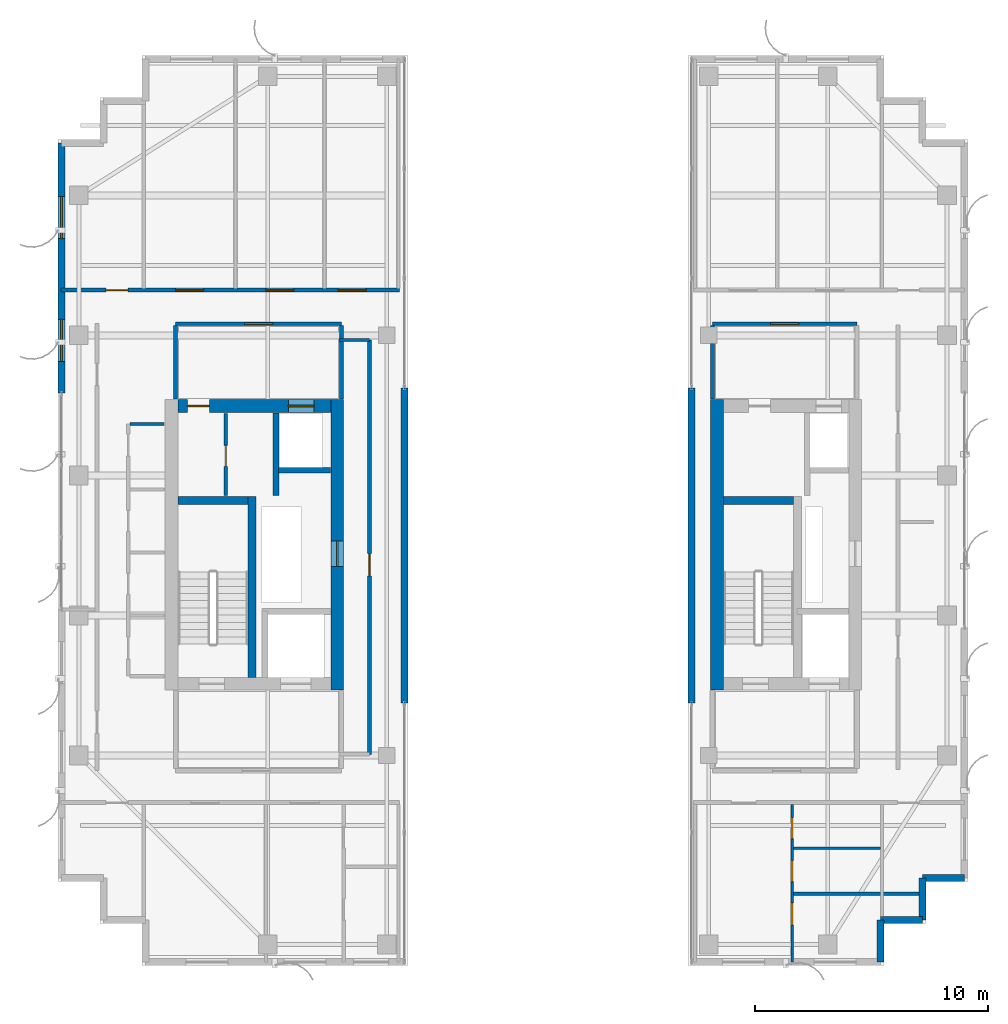
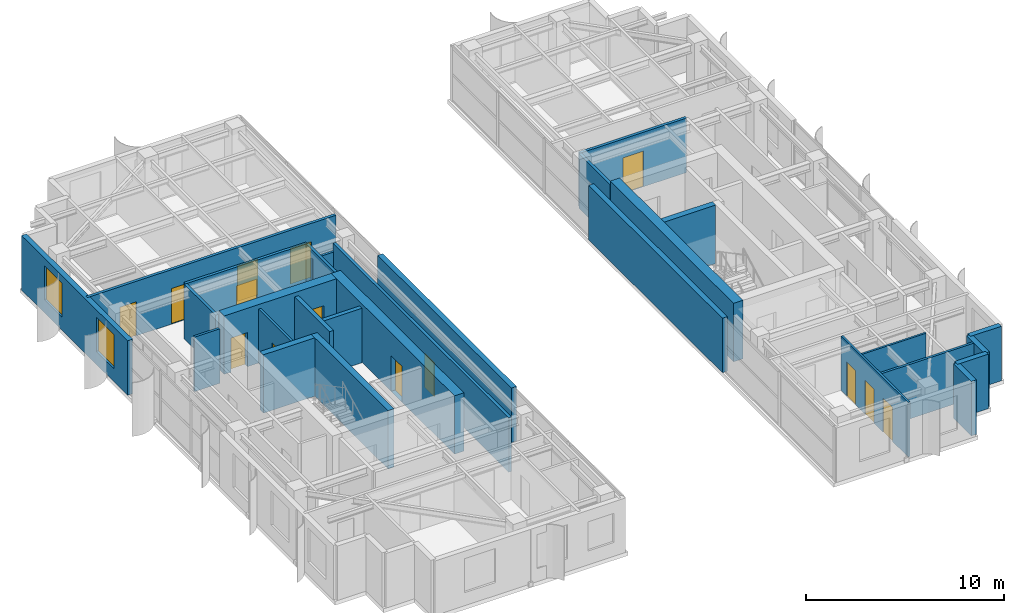
# One storey, part 19 of 24: 28 walls, 14 doors, 2 windows, 16 openings.
"""IFC4 building model written with IfcOpenShell, lengths in metres."""

from ifc_helpers import new_model, si_unit, direction, frame, frame_2d, origin, place, context, subcontext, project, spatial, rectangle, extrude, source, transform, mapped, material, layer, layer_set, type_object, element, fill, save


model = new_model("IFC4")

# Units and contexts
model_context = context("Model", 3, precision=1e-05, world=origin(), true_north=direction((0.0, 1.0)))
body_context = subcontext(model_context, "Body", "Model", "MODEL_VIEW")
ifc_project = project(units=[si_unit("LENGTHUNIT", "METRE"), si_unit("AREAUNIT", "SQUARE_METRE"), si_unit("VOLUMEUNIT", "CUBIC_METRE"), si_unit("PLANEANGLEUNIT", "RADIAN"), si_unit("MASSUNIT", "GRAM", prefix="KILO")], contexts=[model_context])

# Site, building, storey
site_placement = place(None, origin())
site = spatial("IfcSite", under=ifc_project, at=site_placement, CompositionType="ELEMENT")
building_placement = place(site_placement, origin())
building = spatial("IfcBuilding", under=site, at=building_placement, Name="Khoralis Quay Care Tower", CompositionType="ELEMENT")
storey_placement = place(building_placement, frame((0.0, 0.0, 238.5)))
storey = spatial("IfcBuildingStorey", under=building, at=storey_placement, Name="L62", CompositionType="ELEMENT", Elevation=238.5)

# Wall, opening, door
ifc_material_1 = material(Name="Concrete C65/80", Category="concrete")
ifc_layer_1 = layer(ifc_material_1, 0.550048828125)
ifc_layer_set_1 = layer_set([ifc_layer_1], Name="Concrete C65/80")
wall_type_1 = type_object("IfcWallType", Name="WL-CORE-550", PredefinedType="SHEAR", material=ifc_layer_set_1)
wall_1_placement = place(storey_placement, frame((14.97509765625, 14.800048828125, 0.0), z_axis=(0.0, 0.0, 1.0), x_axis=(0.0, 1.0, 0.0)))
wall_1 = element("IfcWall", 1, at=wall_1_placement, inside=storey, type_object=wall_type_1, Name="L62 WCORE East Shear Wall", PredefinedType="SHEAR", context=body_context, shape_type="SweptSolid", body=[
    extrude(rectangle(XDim=12.449951171875, YDim=0.550048828125, at=frame_2d((6.22509765625, 0.0))), origin(), (0.0, 0.0, 1.0), 3.60009765625),
])
opening_1_placement = place(wall_1_placement, frame((5.300048828125, 0.0, 0.0)))
opening_1 = element("IfcOpeningElement", 2, at=opening_1_placement, cuts=wall_1, Name="Opening SD1", PredefinedType="OPENING", context=body_context, shape_type="SweptSolid", body=[
    extrude(rectangle(XDim=1.10009765625, YDim=2.199951171875, at=frame_2d((0.550048828125, 1.10009765625))), frame((0.0, 0.28515625, 0.0), z_axis=(0.0, -1.0, 0.0), x_axis=(1.0, 0.0, 0.0)), (0.0, 0.0, 1.0), 0.570068359375),
])
ifc_material_2 = material(Name="Fire-rated painted steel", Category="steel")
door_type_1 = type_object("IfcDoorType", Name="DR-STAIR-1100X2200", OperationType="NOTDEFINED", PredefinedType="DOOR", material=ifc_material_2)
shared_shape_1 = source(origin(), body_context, "Body", "SweptSolid", [
    extrude(rectangle(XDim=1.10009765625, YDim=2.199951171875, at=frame_2d((0.550048828125, 1.10009765625))), frame((0.0, 0.02490234375, 0.0), z_axis=(0.0, -1.0, 0.0), x_axis=(1.0, 0.0, 0.0)), (0.0, 0.0, 1.0), 0.050048828125),
])
door_1_placement = place(opening_1_placement, origin())
door_1 = element("IfcDoor", 3, at=door_1_placement, inside=storey, type_object=door_type_1, Name="L62 West MEP Riser Door", OperationType="SINGLE_SWING_RIGHT", OverallHeight=2.199951171875, OverallWidth=1.10009765625, PredefinedType="DOOR", context=body_context, shape_type="MappedRepresentation", body=[
    mapped(shared_shape_1, transform((0.0, 0.0, 0.0), scale=1.0)),
])
fill(opening_1, door_1)

# Wall, openings, doors
wall_2_placement = place(storey_placement, frame((8.14990234375, 26.97509765625, 0.0), z_axis=(0.0, 0.0, 1.0), x_axis=(1.0, 0.0, 0.0)))
wall_2 = element("IfcWall", 4, at=wall_2_placement, inside=storey, type_object=wall_type_1, Name="L62 WCORE North Shear Wall", PredefinedType="SHEAR", context=body_context, shape_type="SweptSolid", body=[
    extrude(rectangle(XDim=6.550048828125, YDim=0.550048828125, at=frame_2d((3.27490234375, 0.0))), origin(), (0.0, 0.0, 1.0), 3.60009765625),
])
opening_2_placement = place(wall_2_placement, frame((0.39990234375, 0.0, 0.0)))
opening_2 = element("IfcOpeningElement", 5, at=opening_2_placement, cuts=wall_2, Name="Opening ID1", PredefinedType="OPENING", context=body_context, shape_type="SweptSolid", body=[
    extrude(rectangle(XDim=0.949951171875, YDim=2.10009765625, at=frame_2d((0.47509765625, 1.050048828125))), frame((0.0, 0.28515625, 0.0), z_axis=(0.0, -1.0, 0.0), x_axis=(1.0, 0.0, 0.0)), (0.0, 0.0, 1.0), 0.570068359375),
])
opening_3_placement = place(wall_2_placement, frame((4.72998046875, 0.0, 0.0)))
opening_3 = element("IfcOpeningElement", 6, at=opening_3_placement, cuts=wall_2, Name="Opening LD1", PredefinedType="OPENING", context=body_context, shape_type="SweptSolid", body=[
    extrude(rectangle(XDim=1.10009765625, YDim=2.199951171875, at=frame_2d((0.550048828125, 1.10009765625))), frame((0.0, 0.28515625, 0.0), z_axis=(0.0, -1.0, 0.0), x_axis=(1.0, 0.0, 0.0)), (0.0, 0.0, 1.0), 0.570068359375),
])
ifc_material_3 = material(Name="Brushed stainless steel", Category="steel")
door_type_2 = type_object("IfcDoorType", Name="DR-LIFT-1100X2200", OperationType="SLIDING_TO_LEFT", PredefinedType="DOOR", material=ifc_material_3)
shared_shape_2 = source(origin(), body_context, "Body", "SweptSolid", [
    extrude(rectangle(XDim=1.10009765625, YDim=2.199951171875, at=frame_2d((0.550048828125, 1.10009765625))), frame((0.0, 0.02490234375, 0.0), z_axis=(0.0, -1.0, 0.0), x_axis=(1.0, 0.0, 0.0)), (0.0, 0.0, 1.0), 0.050048828125),
])
door_2_placement = place(opening_3_placement, origin())
door_2 = element("IfcDoor", 7, at=door_2_placement, inside=storey, type_object=door_type_2, Name="L62 Lift PLH1 Landing Door", OperationType="SLIDING_TO_LEFT", OverallHeight=2.199951171875, OverallWidth=1.10009765625, PredefinedType="DOOR", context=body_context, shape_type="MappedRepresentation", body=[
    mapped(shared_shape_2, transform((0.0, 0.0, 0.0), scale=1.0)),
])
fill(opening_3, door_2)
ifc_material_4 = material(Name="Acoustic hardwood timber", Category="wood")
door_type_3 = type_object("IfcDoorType", Name="DR-ROOM-950X2100", OperationType="NOTDEFINED", PredefinedType="DOOR", material=ifc_material_4)
shared_shape_3 = source(origin(), body_context, "Body", "SweptSolid", [
    extrude(rectangle(XDim=0.949951171875, YDim=2.10009765625, at=frame_2d((0.47509765625, 1.050048828125))), frame((0.0, 0.02490234375, 0.0), z_axis=(0.0, -1.0, 0.0), x_axis=(1.0, 0.0, 0.0)), (0.0, 0.0, 1.0), 0.050048828125),
])
door_3_placement = place(opening_2_placement, frame((0.949951171875, 0.0, 0.0), z_axis=(0.0, 0.0, 1.0), x_axis=(-1.0, 0.0, 0.0)))
door_3 = element("IfcDoor", 8, at=door_3_placement, inside=storey, type_object=door_type_3, Name="L62 Telemetry Study Door", OperationType="SINGLE_SWING_RIGHT", OverallHeight=2.10009765625, OverallWidth=0.949951171875, PredefinedType="DOOR", context=body_context, shape_type="MappedRepresentation", body=[
    mapped(shared_shape_3, transform((0.0, 0.0, 0.0), scale=1.0)),
])
fill(opening_2, door_3)

# Wall
wall_3_placement = place(storey_placement, frame((31.2451171875, 14.800048828125, 0.0), z_axis=(0.0, 0.0, 1.0), x_axis=(0.0, 1.0, 0.0)))
element("IfcWall", 9, at=wall_3_placement, inside=storey, type_object=wall_type_1, Name="L62 ECORE West Shear Wall", PredefinedType="SHEAR", context=body_context, shape_type="SweptSolid", body=[
    extrude(rectangle(XDim=12.449951171875, YDim=0.550048828125, at=frame_2d((6.22509765625, 0.0))), origin(), (0.0, 0.0, 1.0), 3.60009765625),
])

# Wall, opening, door
ifc_material_5 = material(Name="Gypsum plasterboard on acoustic metal stud")
ifc_layer_2 = layer(ifc_material_5, 0.1650390625)
ifc_layer_set_2 = layer_set([ifc_layer_2], Name="Gypsum plasterboard on acoustic metal stud")
wall_type_2 = type_object("IfcWallType", Name="WL-CORR-165", PredefinedType="PARTITIONING", material=ifc_layer_set_2)
wall_4_placement = place(storey_placement, frame((8.050048828125, 30.5, 0.0), z_axis=(0.0, 0.0, 1.0), x_axis=(1.0, 0.0, 0.0)))
wall_4 = element("IfcWall", 10, at=wall_4_placement, inside=storey, type_object=wall_type_2, Name="L62 West Lift Lobby North Wall", PredefinedType="PARTITIONING", context=body_context, shape_type="SweptSolid", body=[
    extrude(rectangle(XDim=7.099853515625, YDim=0.1650390625, at=frame_2d((3.5498046875, 0.0))), origin(), (0.0, 0.0, 1.0), 3.360107421875),
])
opening_4_placement = place(wall_4_placement, frame((2.949951171875, 0.0, 0.0)))
opening_4 = element("IfcOpeningElement", 11, at=opening_4_placement, cuts=wall_4, Name="Opening FD1", PredefinedType="OPENING", context=body_context, shape_type="SweptSolid", body=[
    extrude(rectangle(XDim=1.199951171875, YDim=2.199951171875, at=frame_2d((0.60009765625, 1.10009765625))), frame((0.0, 0.092529296875, 0.0), z_axis=(0.0, -1.0, 0.0), x_axis=(1.0, 0.0, 0.0)), (0.0, 0.0, 1.0), 0.18505859375),
])
door_type_4 = type_object("IfcDoorType", Name="DR-FFL-1200X2200", OperationType="NOTDEFINED", PredefinedType="DOOR", material=ifc_material_2)
shared_shape_4 = source(origin(), body_context, "Body", "SweptSolid", [
    extrude(rectangle(XDim=1.199951171875, YDim=2.199951171875, at=frame_2d((0.60009765625, 1.10009765625))), frame((0.0, 0.02490234375, 0.0), z_axis=(0.0, -1.0, 0.0), x_axis=(1.0, 0.0, 0.0)), (0.0, 0.0, 1.0), 0.050048828125),
])
door_4_placement = place(opening_4_placement, origin())
door_4 = element("IfcDoor", 12, at=door_4_placement, inside=storey, type_object=door_type_4, Name="L62 West Lift Lobby Double Door", OperationType="DOUBLE_DOOR_SINGLE_SWING", OverallHeight=2.199951171875, OverallWidth=1.199951171875, PredefinedType="DOOR", context=body_context, shape_type="MappedRepresentation", body=[
    mapped(shared_shape_4, transform((0.0, 0.0, 0.0), scale=1.0)),
])
fill(opening_4, door_4)

# Walls
for number, where, z_axis, x_axis, name in (
    (13, (8.050048828125, 27.27001953125, 0.0), (0.0, 0.0, 1.0), (0.0, 1.0, 0.0), "L62 West Lift Lobby West Wall"),
    (14, (15.14990234375, 27.27001953125, 0.0), (0.0, 0.0, 1.0), (0.0, 1.0, 0.0), "L62 West Lift Lobby East Wall"),
):
    element("IfcWall", number, at=place(storey_placement, frame(where, z_axis=z_axis, x_axis=x_axis)), inside=storey, type_object=wall_type_2, Name=name, PredefinedType="PARTITIONING", context=body_context, shape_type="SweptSolid", body=[
        extrude(rectangle(XDim=3.152587890625, YDim=0.1650390625, at=frame_2d((1.576171875, 0.0))), origin(), (0.0, 0.0, 1.0), 3.360107421875),
    ])

# Wall, opening, door
wall_5_placement = place(storey_placement, frame((31.050048828125, 30.5, 0.0), z_axis=(0.0, 0.0, 1.0), x_axis=(1.0, 0.0, 0.0)))
wall_5 = element("IfcWall", 15, at=wall_5_placement, inside=storey, type_object=wall_type_2, Name="L62 East Lift Lobby North Wall", PredefinedType="PARTITIONING", context=body_context, shape_type="SweptSolid", body=[
    extrude(rectangle(XDim=6.199951171875, YDim=0.1650390625, at=frame_2d((3.10009765625, 0.0))), origin(), (0.0, 0.0, 1.0), 3.360107421875),
])
opening_5_placement = place(wall_5_placement, frame((2.5, 0.0, 0.0)))
opening_5 = element("IfcOpeningElement", 16, at=opening_5_placement, cuts=wall_5, Name="Opening FD1", PredefinedType="OPENING", context=body_context, shape_type="SweptSolid", body=[
    extrude(rectangle(XDim=1.199951171875, YDim=2.199951171875, at=frame_2d((0.60009765625, 1.10009765625))), frame((0.0, 0.092529296875, 0.0), z_axis=(0.0, -1.0, 0.0), x_axis=(1.0, 0.0, 0.0)), (0.0, 0.0, 1.0), 0.18505859375),
])
door_5_placement = place(opening_5_placement, origin())
door_5 = element("IfcDoor", 17, at=door_5_placement, inside=storey, type_object=door_type_4, Name="L62 East Lift Lobby Double Door", OperationType="DOUBLE_DOOR_SINGLE_SWING", OverallHeight=2.199951171875, OverallWidth=1.199951171875, PredefinedType="DOOR", context=body_context, shape_type="MappedRepresentation", body=[
    mapped(shared_shape_4, transform((0.0, 0.0, 0.0), scale=1.0)),
])
fill(opening_5, door_5)

# Wall
wall_6_placement = place(storey_placement, frame((31.050048828125, 27.27001953125, 0.0), z_axis=(0.0, 0.0, 1.0), x_axis=(0.0, 1.0, 0.0)))
element("IfcWall", 18, at=wall_6_placement, inside=storey, type_object=wall_type_2, Name="L62 East Lift Lobby West Wall", PredefinedType="PARTITIONING", context=body_context, shape_type="SweptSolid", body=[
    extrude(rectangle(XDim=3.152587890625, YDim=0.1650390625, at=frame_2d((1.576171875, 0.0))), origin(), (0.0, 0.0, 1.0), 3.360107421875),
])

# Wall, openings, doors
wall_7_placement = place(storey_placement, frame((3.14501953125, 31.93994140625, 0.0), z_axis=(0.0, 0.0, 1.0), x_axis=(1.0, 0.0, 0.0)))
wall_7 = element("IfcWall", 19, at=wall_7_placement, inside=storey, type_object=wall_type_2, Name="L62 West Wing North Corridor Wall", PredefinedType="PARTITIONING", context=body_context, shape_type="SweptSolid", body=[
    extrude(rectangle(XDim=14.5048828125, YDim=0.1650390625, at=frame_2d((7.25244140625, 0.0))), origin(), (0.0, 0.0, 1.0), 3.360107421875),
])
opening_6_placement = place(wall_7_placement, frame((4.89990234375, 0.0, 0.0)))
opening_6 = element("IfcOpeningElement", 20, at=opening_6_placement, cuts=wall_7, Name="Opening FD1", PredefinedType="OPENING", context=body_context, shape_type="SweptSolid", body=[
    extrude(rectangle(XDim=1.199951171875, YDim=2.199951171875, at=frame_2d((0.60009765625, 1.10009765625))), frame((0.0, 0.092529296875, 0.0), z_axis=(0.0, -1.0, 0.0), x_axis=(1.0, 0.0, 0.0)), (0.0, 0.0, 1.0), 0.18505859375),
])
opening_7_placement = place(wall_7_placement, frame((8.77490234375, 0.0, 0.0)))
opening_7 = element("IfcOpeningElement", 21, at=opening_7_placement, cuts=wall_7, Name="Opening FD1", PredefinedType="OPENING", context=body_context, shape_type="SweptSolid", body=[
    extrude(rectangle(XDim=1.199951171875, YDim=2.199951171875, at=frame_2d((0.60009765625, 1.10009765625))), frame((0.0, 0.092529296875, 0.0), z_axis=(0.0, -1.0, 0.0), x_axis=(1.0, 0.0, 0.0)), (0.0, 0.0, 1.0), 0.18505859375),
])
opening_8_placement = place(wall_7_placement, frame((11.8701171875, 0.0, 0.0)))
opening_8 = element("IfcOpeningElement", 22, at=opening_8_placement, cuts=wall_7, Name="Opening FD1", PredefinedType="OPENING", context=body_context, shape_type="SweptSolid", body=[
    extrude(rectangle(XDim=1.199951171875, YDim=2.199951171875, at=frame_2d((0.60009765625, 1.10009765625))), frame((0.0, 0.092529296875, 0.0), z_axis=(0.0, -1.0, 0.0), x_axis=(1.0, 0.0, 0.0)), (0.0, 0.0, 1.0), 0.18505859375),
])
opening_9_placement = place(wall_7_placement, frame((1.919921875, 0.0, 0.0)))
opening_9 = element("IfcOpeningElement", 23, at=opening_9_placement, cuts=wall_7, Name="Opening ID1", PredefinedType="OPENING", context=body_context, shape_type="SweptSolid", body=[
    extrude(rectangle(XDim=0.949951171875, YDim=2.10009765625, at=frame_2d((0.47509765625, 1.050048828125))), frame((0.0, 0.092529296875, 0.0), z_axis=(0.0, -1.0, 0.0), x_axis=(1.0, 0.0, 0.0)), (0.0, 0.0, 1.0), 0.18505859375),
])
door_6_placement = place(opening_6_placement, origin())
door_6 = element("IfcDoor", 24, at=door_6_placement, inside=storey, type_object=door_type_4, Name="L62 Resident Communal Day Lounge Door", OperationType="DOUBLE_DOOR_SINGLE_SWING", OverallHeight=2.199951171875, OverallWidth=1.199951171875, PredefinedType="DOOR", context=body_context, shape_type="MappedRepresentation", body=[
    mapped(shared_shape_4, transform((0.0, 0.0, 0.0), scale=1.0)),
])
fill(opening_6, door_6)
door_7_placement = place(opening_7_placement, origin())
door_7 = element("IfcDoor", 25, at=door_7_placement, inside=storey, type_object=door_type_4, Name="L62 Resident Communal Day Lounge Door", OperationType="DOUBLE_DOOR_SINGLE_SWING", OverallHeight=2.199951171875, OverallWidth=1.199951171875, PredefinedType="DOOR", context=body_context, shape_type="MappedRepresentation", body=[
    mapped(shared_shape_4, transform((0.0, 0.0, 0.0), scale=1.0)),
])
fill(opening_7, door_7)
door_8_placement = place(opening_8_placement, origin())
door_8 = element("IfcDoor", 26, at=door_8_placement, inside=storey, type_object=door_type_4, Name="L62 Assisted Communal Dining Room Door", OperationType="DOUBLE_DOOR_SINGLE_SWING", OverallHeight=2.199951171875, OverallWidth=1.199951171875, PredefinedType="DOOR", context=body_context, shape_type="MappedRepresentation", body=[
    mapped(shared_shape_4, transform((0.0, 0.0, 0.0), scale=1.0)),
])
fill(opening_8, door_8)
door_9_placement = place(opening_9_placement, origin())
door_9 = element("IfcDoor", 27, at=door_9_placement, inside=storey, type_object=door_type_3, Name="L62 NW Corner Door", OperationType="SINGLE_SWING_RIGHT", OverallHeight=2.10009765625, OverallWidth=0.949951171875, PredefinedType="DOOR", context=body_context, shape_type="MappedRepresentation", body=[
    mapped(shared_shape_3, transform((0.0, 0.0, 0.0), scale=1.0)),
])
fill(opening_9, door_9)

# Wall, opening, door
wall_8_placement = place(storey_placement, frame((16.360107421875, 12.050048828125, 0.0), z_axis=(0.0, 0.0, 1.0), x_axis=(0.0, 1.0, 0.0)))
wall_8 = element("IfcWall", 28, at=wall_8_placement, inside=storey, type_object=wall_type_2, Name="L62 Portal Gallery Wall", PredefinedType="PARTITIONING", context=body_context, shape_type="SweptSolid", body=[
    extrude(rectangle(XDim=17.75, YDim=0.1650390625, at=frame_2d((8.875, 0.0))), origin(), (0.0, 0.0, 1.0), 3.360107421875),
])
opening_10_placement = place(wall_8_placement, frame((7.64990234375, 0.0, 0.0)))
opening_10 = element("IfcOpeningElement", 29, at=opening_10_placement, cuts=wall_8, Name="Opening ID1", PredefinedType="OPENING", context=body_context, shape_type="SweptSolid", body=[
    extrude(rectangle(XDim=0.949951171875, YDim=2.10009765625, at=frame_2d((0.47509765625, 1.050048828125))), frame((0.0, 0.092529296875, 0.0), z_axis=(0.0, -1.0, 0.0), x_axis=(1.0, 0.0, 0.0)), (0.0, 0.0, 1.0), 0.18505859375),
])
door_10_placement = place(opening_10_placement, frame((0.949951171875, 0.0, 0.0), z_axis=(0.0, 0.0, 1.0), x_axis=(-1.0, 0.0, 0.0)))
door_10 = element("IfcDoor", 30, at=door_10_placement, inside=storey, type_object=door_type_3, Name="L62 Portal Reading Lounge Door", OperationType="SINGLE_SWING_LEFT", OverallHeight=2.10009765625, OverallWidth=0.949951171875, PredefinedType="DOOR", context=body_context, shape_type="MappedRepresentation", body=[
    mapped(shared_shape_3, transform((0.0, 0.0, 0.0), scale=1.0)),
])
fill(opening_10, door_10)

# Wall
ifc_material_6 = material(Name="Precast concrete C45/55", Category="concrete")
ifc_layer_3 = layer(ifc_material_6, 0.300048828125)
ifc_layer_set_3 = layer_set([ifc_layer_3], Name="Precast concrete C45/55")
wall_type_3 = type_object("IfcWallType", Name="WL-EXT-REF-300", PredefinedType="SOLIDWALL", material=ifc_layer_set_3)
wall_9_placement = place(storey_placement, frame((17.85009765625, 14.25, 0.0), z_axis=(0.0, 0.0, 1.0), x_axis=(0.0, 1.0, 0.0)))
element("IfcWall", 31, at=wall_9_placement, inside=storey, type_object=wall_type_3, Name="L62 External Facade Wall WL-VP-L62-P1-M", PredefinedType="SOLIDWALL", context=body_context, shape_type="SweptSolid", body=[
    extrude(rectangle(XDim=13.5, YDim=0.300048828125, at=frame_2d((6.75, 0.0))), origin(), (0.0, 0.0, 1.0), 3.360107421875),
])

# Wall, openings, windows
wall_10_placement = place(storey_placement, frame((3.14990234375, 38.25, 0.0), z_axis=(0.0, 0.0, 1.0), x_axis=(0.0, -1.0, 0.0)))
wall_10 = element("IfcWall", 32, at=wall_10_placement, inside=storey, type_object=wall_type_3, Name="L62 External Facade Wall WL-EXT-L62-P1-E7A", PredefinedType="SOLIDWALL", context=body_context, shape_type="SweptSolid", body=[
    extrude(rectangle(XDim=10.7099609375, YDim=0.300048828125, at=frame_2d((5.35498046875, 0.0))), origin(), (0.0, 0.0, 1.0), 3.360107421875),
])
opening_11_placement = place(wall_10_placement, frame((2.304931640625, 0.0, 0.800048828125)))
opening_11 = element("IfcOpeningElement", 33, at=opening_11_placement, cuts=wall_10, Name="Opening W2", PredefinedType="OPENING", context=body_context, shape_type="SweptSolid", body=[
    extrude(rectangle(XDim=1.800048828125, YDim=2.10009765625, at=frame_2d((0.89990234375, 1.050048828125))), frame((0.0, 0.16015625, 0.0), z_axis=(0.0, -1.0, 0.0), x_axis=(1.0, 0.0, 0.0)), (0.0, 0.0, 1.0), 0.320068359375),
])
opening_12_placement = place(wall_10_placement, frame((7.56005859375, 0.0, 0.800048828125)))
opening_12 = element("IfcOpeningElement", 34, at=opening_12_placement, cuts=wall_10, Name="Opening W2", PredefinedType="OPENING", context=body_context, shape_type="SweptSolid", body=[
    extrude(rectangle(XDim=1.800048828125, YDim=2.10009765625, at=frame_2d((0.89990234375, 1.050048828125))), frame((0.0, 0.16015625, 0.0), z_axis=(0.0, -1.0, 0.0), x_axis=(1.0, 0.0, 0.0)), (0.0, 0.0, 1.0), 0.320068359375),
])
ifc_material_7 = material(Name="Low-E solar-control double glazing", Category="glass")
window_type = type_object("IfcWindowType", Name="WN-POD-1800X2100", PartitioningType="SINGLE_PANEL", PredefinedType="WINDOW", material=ifc_material_7)
shared_shape_5 = source(origin(), body_context, "Body", "SweptSolid", [
    extrude(rectangle(XDim=1.800048828125, YDim=2.10009765625, at=frame_2d((0.89990234375, 1.050048828125))), frame((0.0, 0.030029296875, 0.0), z_axis=(0.0, -1.0, 0.0), x_axis=(1.0, 0.0, 0.0)), (0.0, 0.0, 1.0), 0.06005859375),
])
window_1_placement = place(opening_11_placement, origin())
window_1 = element("IfcWindow", 35, at=window_1_placement, inside=storey, type_object=window_type, Name="WN-L62-P1-E7A Facade Window 01", OverallHeight=2.10009765625, OverallWidth=1.800048828125, PartitioningType="SINGLE_PANEL", PredefinedType="WINDOW", context=body_context, shape_type="MappedRepresentation", body=[
    mapped(shared_shape_5, transform((0.0, 0.0, 0.0), scale=1.0)),
])
fill(opening_11, window_1)
window_2_placement = place(opening_12_placement, origin())
window_2 = element("IfcWindow", 36, at=window_2_placement, inside=storey, type_object=window_type, Name="WN-L62-P1-E7A Facade Window 02", OverallHeight=2.10009765625, OverallWidth=1.800048828125, PartitioningType="SINGLE_PANEL", PredefinedType="WINDOW", context=body_context, shape_type="MappedRepresentation", body=[
    mapped(shared_shape_5, transform((0.0, 0.0, 0.0), scale=1.0)),
])
fill(opening_12, window_2)

# Walls
for number, where, z_axis, x_axis, name in (
    (37, (38.25, 3.14990234375, 0.0), (0.0, 0.0, 1.0), (0.0, 1.0, 0.0), "L62 External Facade Wall WL-EXT-L62-P2-C1"),
    (38, (38.25, 4.949951171875, 0.0), (0.0, 0.0, 1.0), (1.0, 0.0, 0.0), "L62 External Facade Wall WL-EXT-L62-P2-C2"),
    (39, (40.050048828125, 4.949951171875, 0.0), (0.0, 0.0, 1.0), (0.0, 1.0, 0.0), "L62 External Facade Wall WL-EXT-L62-P2-C3"),
    (40, (40.050048828125, 6.75, 0.0), (0.0, 0.0, 1.0), (1.0, 0.0, 0.0), "L62 External Facade Wall WL-EXT-L62-P2-C4"),
):
    element("IfcWall", number, at=place(storey_placement, frame(where, z_axis=z_axis, x_axis=x_axis)), inside=storey, type_object=wall_type_3, Name=name, PredefinedType="SOLIDWALL", context=body_context, shape_type="SweptSolid", body=[
        extrude(rectangle(XDim=1.800048828125, YDim=0.300048828125, at=frame_2d((0.89990234375, 0.0))), origin(), (0.0, 0.0, 1.0), 3.360107421875),
    ])
wall_11_placement = place(storey_placement, frame((30.14990234375, 14.25, 0.0), z_axis=(0.0, 0.0, 1.0), x_axis=(0.0, 1.0, 0.0)))
element("IfcWall", 41, at=wall_11_placement, inside=storey, type_object=wall_type_3, Name="L62 External Facade Wall WL-VP-L62-P2-M", PredefinedType="SOLIDWALL", context=body_context, shape_type="SweptSolid", body=[
    extrude(rectangle(XDim=13.5, YDim=0.300048828125, at=frame_2d((6.75, 0.0))), origin(), (0.0, 0.0, 1.0), 3.360107421875),
])

# Wall, openings, doors
ifc_layer_4 = layer(ifc_material_5, 0.114990234375)
ifc_layer_set_4 = layer_set([ifc_layer_4], Name="Gypsum plasterboard on acoustic metal stud")
wall_type_4 = type_object("IfcWallType", Name="WL-PART-115", PredefinedType="PARTITIONING", material=ifc_layer_set_4)
wall_12_placement = place(storey_placement, frame((34.469970703125, 3.14501953125, 0.0), z_axis=(0.0, 0.0, 1.0), x_axis=(0.0, 1.0, 0.0)))
wall_12 = element("IfcWall", 42, at=wall_12_placement, inside=storey, type_object=wall_type_4, Name="L62 Unit 0 Internal Wall", PredefinedType="PARTITIONING", context=body_context, shape_type="SweptSolid", body=[
    extrude(rectangle(XDim=6.757568359375, YDim=0.114990234375, at=frame_2d((3.37890625, 0.0))), origin(), (0.0, 0.0, 1.0), 3.360107421875),
])
opening_13_placement = place(wall_12_placement, frame((1.590576171875, 0.0, 0.0)))
opening_13 = element("IfcOpeningElement", 43, at=opening_13_placement, cuts=wall_12, Name="Opening ID1", PredefinedType="OPENING", context=body_context, shape_type="SweptSolid", body=[
    extrude(rectangle(XDim=0.949951171875, YDim=2.10009765625, at=frame_2d((0.47509765625, 1.050048828125))), frame((0.0, 0.0673828125, 0.0), z_axis=(0.0, -1.0, 0.0), x_axis=(1.0, 0.0, 0.0)), (0.0, 0.0, 1.0), 0.135009765625),
])
opening_14_placement = place(wall_12_placement, frame((3.45361328125, 0.0, 0.0)))
opening_14 = element("IfcOpeningElement", 44, at=opening_14_placement, cuts=wall_12, Name="Opening WD1", PredefinedType="OPENING", context=body_context, shape_type="SweptSolid", body=[
    extrude(rectangle(XDim=0.89990234375, YDim=2.10009765625, at=frame_2d((0.449951171875, 1.050048828125))), frame((0.0, 0.0673828125, 0.0), z_axis=(0.0, -1.0, 0.0), x_axis=(1.0, 0.0, 0.0)), (0.0, 0.0, 1.0), 0.135009765625),
])
opening_15_placement = place(wall_12_placement, frame((5.29296875, 0.0, 0.0)))
opening_15 = element("IfcOpeningElement", 45, at=opening_15_placement, cuts=wall_12, Name="Opening WD1", PredefinedType="OPENING", context=body_context, shape_type="SweptSolid", body=[
    extrude(rectangle(XDim=0.89990234375, YDim=2.10009765625, at=frame_2d((0.449951171875, 1.050048828125))), frame((0.0, 0.0673828125, 0.0), z_axis=(0.0, -1.0, 0.0), x_axis=(1.0, 0.0, 0.0)), (0.0, 0.0, 1.0), 0.135009765625),
])
door_type_5 = type_object("IfcDoorType", Name="DR-BATH-900X2100", OperationType="NOTDEFINED", PredefinedType="DOOR", material=ifc_material_4)
shared_shape_6 = source(origin(), body_context, "Body", "SweptSolid", [
    extrude(rectangle(XDim=0.89990234375, YDim=2.10009765625, at=frame_2d((0.449951171875, 1.050048828125))), frame((0.0, 0.02490234375, 0.0), z_axis=(0.0, -1.0, 0.0), x_axis=(1.0, 0.0, 0.0)), (0.0, 0.0, 1.0), 0.050048828125),
])
door_11_placement = place(opening_14_placement, frame((0.89990234375, 0.0, 0.0), z_axis=(0.0, 0.0, 1.0), x_axis=(-1.0, 0.0, 0.0)))
door_11 = element("IfcDoor", 46, at=door_11_placement, inside=storey, type_object=door_type_5, Name="L62 Apartment ES0 KIT Door", OperationType="SINGLE_SWING_LEFT", OverallHeight=2.10009765625, OverallWidth=0.89990234375, PredefinedType="DOOR", context=body_context, shape_type="MappedRepresentation", body=[
    mapped(shared_shape_6, transform((0.0, 0.0, 0.0), scale=1.0)),
])
fill(opening_14, door_11)
door_12_placement = place(opening_15_placement, frame((0.89990234375, 0.0, 0.0), z_axis=(0.0, 0.0, 1.0), x_axis=(-1.0, 0.0, 0.0)))
door_12 = element("IfcDoor", 47, at=door_12_placement, inside=storey, type_object=door_type_5, Name="L62 Apartment ES0 BTH Door", OperationType="SINGLE_SWING_RIGHT", OverallHeight=2.10009765625, OverallWidth=0.89990234375, PredefinedType="DOOR", context=body_context, shape_type="MappedRepresentation", body=[
    mapped(shared_shape_6, transform((0.0, 0.0, 0.0), scale=1.0)),
])
fill(opening_15, door_12)
door_13_placement = place(opening_13_placement, frame((0.949951171875, 0.0, 0.0), z_axis=(0.0, 0.0, 1.0), x_axis=(-1.0, 0.0, 0.0)))
door_13 = element("IfcDoor", 48, at=door_13_placement, inside=storey, type_object=door_type_3, Name="L62 Apartment ES0 BED Door", OperationType="SINGLE_SWING_RIGHT", OverallHeight=2.10009765625, OverallWidth=0.949951171875, PredefinedType="DOOR", context=body_context, shape_type="MappedRepresentation", body=[
    mapped(shared_shape_3, transform((0.0, 0.0, 0.0), scale=1.0)),
])
fill(opening_13, door_13)

# Walls
wall_13_placement = place(storey_placement, frame((34.5224609375, 8.02587890625, 0.0), z_axis=(0.0, 0.0, 1.0), x_axis=(1.0, 0.0, 0.0)))
element("IfcWall", 49, at=wall_13_placement, inside=storey, type_object=wall_type_4, Name="L62 Unit 0 Kitchen Wall", PredefinedType="PARTITIONING", context=body_context, shape_type="SweptSolid", body=[
    extrude(rectangle(XDim=3.732421875, YDim=0.114990234375, at=frame_2d((1.8662109375, 0.0))), origin(), (0.0, 0.0, 1.0), 3.360107421875),
])
ifc_material_8 = material(Name="Moisture-resistant gypsum and ceramic tile")
ifc_layer_5 = layer(ifc_material_8, 0.280029296875)
ifc_layer_set_5 = layer_set([ifc_layer_5], Name="Moisture-resistant gypsum and ceramic tile")
wall_type_5 = type_object("IfcWallType", Name="WL-PLUMB-280", PredefinedType="PLUMBINGWALL", material=ifc_layer_set_5)
wall_14_placement = place(storey_placement, frame((34.5224609375, 6.071044921875, 0.0), z_axis=(0.0, 0.0, 1.0), x_axis=(1.0, 0.0, 0.0)))
element("IfcWall", 50, at=wall_14_placement, inside=storey, type_object=wall_type_5, Name="L62 Unit 0 Wet Wall", PredefinedType="PLUMBINGWALL", context=body_context, shape_type="SweptSolid", body=[
    extrude(rectangle(XDim=5.532470703125, YDim=0.139892578125, at=frame_2d((2.76611328125, 0.0))), origin(), (0.0, 0.0, 1.0), 3.360107421875),
])
ifc_material_9 = material(Name="Concrete C40/50", Category="concrete")
ifc_layer_6 = layer(ifc_material_9, 0.35009765625)
ifc_layer_set_6 = layer_set([ifc_layer_6], Name="Concrete C40/50")
wall_type_6 = type_object("IfcWallType", Name="WL-SC-CORE-350", PredefinedType="SHEAR", material=ifc_layer_set_6)
wall_15_placement = place(storey_placement, frame((11.324951171875, 15.35009765625, 0.0), z_axis=(0.0, 0.0, 1.0), x_axis=(0.0, 1.0, 0.0)))
element("IfcWall", 51, at=wall_15_placement, inside=storey, type_object=wall_type_6, Name="L62 Stair ST-T1 Shear Baffle Wall East", PredefinedType="SHEAR", context=body_context, shape_type="SweptSolid", body=[
    extrude(rectangle(XDim=7.75, YDim=0.35009765625, at=frame_2d((3.875, 0.0))), origin(), (0.0, 0.0, 1.0), 3.60009765625),
])
for number, where, z_axis, x_axis, name in (
    (52, (8.14990234375, 22.925048828125, 0.0), (0.0, 0.0, 1.0), (1.0, 0.0, 0.0), "L62 Stair ST-T1 Shear Baffle Wall North"),
    (53, (31.52001953125, 22.925048828125, 0.0), (0.0, 0.0, 1.0), (1.0, 0.0, 0.0), "L62 Stair ST-T2 Shear Baffle Wall North"),
):
    element("IfcWall", number, at=place(storey_placement, frame(where, z_axis=z_axis, x_axis=x_axis)), inside=storey, type_object=wall_type_6, Name=name, PredefinedType="SHEAR", context=body_context, shape_type="SweptSolid", body=[
        extrude(rectangle(XDim=3.0, YDim=0.35009765625, at=frame_2d((1.5, 0.0))), origin(), (0.0, 0.0, 1.0), 3.60009765625),
    ])
ifc_layer_7 = layer(ifc_material_5, 0.239990234375)
ifc_layer_set_7 = layer_set([ifc_layer_7], Name="Gypsum plasterboard on acoustic metal stud")
wall_type_7 = type_object("IfcWallType", Name="WL-SHAFT-240", PredefinedType="PARTITIONING", material=ifc_layer_set_7)
wall_16_placement = place(storey_placement, frame((12.35009765625, 23.139892578125, 0.0), z_axis=(0.0, 0.0, 1.0), x_axis=(0.0, 1.0, 0.0)))
element("IfcWall", 54, at=wall_16_placement, inside=storey, type_object=wall_type_7, Name="L62 High-Rise Reclaimed Bay Wall West", PredefinedType="PARTITIONING", context=body_context, shape_type="SweptSolid", body=[
    extrude(rectangle(XDim=3.5400390625, YDim=0.239990234375, at=frame_2d((1.77001953125, 0.0))), origin(), (0.0, 0.0, 1.0), 3.360107421875),
])
wall_17_placement = place(storey_placement, frame((12.465087890625, 24.22998046875, 0.0), z_axis=(0.0, 0.0, 1.0), x_axis=(1.0, 0.0, 0.0)))
element("IfcWall", 55, at=wall_17_placement, inside=storey, type_object=wall_type_7, Name="L62 High-Rise Shaft South Wall West", PredefinedType="PARTITIONING", context=body_context, shape_type="SweptSolid", body=[
    extrude(rectangle(XDim=2.21484375, YDim=0.239990234375, at=frame_2d((1.107421875, 0.0))), origin(), (0.0, 0.0, 1.0), 3.360107421875),
])

# Wall, opening, door
ifc_layer_8 = layer(ifc_material_5, 0.139892578125)
ifc_layer_set_8 = layer_set([ifc_layer_8], Name="Gypsum plasterboard on acoustic metal stud")
wall_type_8 = type_object("IfcWallType", Name="WL-UNIT-140", PredefinedType="PARTITIONING", material=ifc_layer_set_8)
wall_18_placement = place(storey_placement, frame((10.199951171875, 23.139892578125, 0.0), z_axis=(0.0, 0.0, 1.0), x_axis=(0.0, 1.0, 0.0)))
wall_18 = element("IfcWall", 56, at=wall_18_placement, inside=storey, type_object=wall_type_8, Name="L62 High-Rise West Core Split V", PredefinedType="PARTITIONING", context=body_context, shape_type="SweptSolid", body=[
    extrude(rectangle(XDim=3.52001953125, YDim=0.139892578125, at=frame_2d((1.760009765625, 0.0))), origin(), (0.0, 0.0, 1.0), 3.360107421875),
])
opening_16_placement = place(wall_18_placement, frame((1.25, 0.0, 0.0)))
opening_16 = element("IfcOpeningElement", 57, at=opening_16_placement, cuts=wall_18, Name="Opening WD1", PredefinedType="OPENING", context=body_context, shape_type="SweptSolid", body=[
    extrude(rectangle(XDim=0.89990234375, YDim=2.10009765625, at=frame_2d((0.449951171875, 1.050048828125))), frame((0.0, 0.080078125, 0.0), z_axis=(0.0, -1.0, 0.0), x_axis=(1.0, 0.0, 0.0)), (0.0, 0.0, 1.0), 0.159912109375),
])
door_14_placement = place(opening_16_placement, frame((0.89990234375, 0.0, 0.0), z_axis=(0.0, 0.0, 1.0), x_axis=(-1.0, 0.0, 0.0)))
door_14 = element("IfcDoor", 58, at=door_14_placement, inside=storey, type_object=door_type_5, Name="L62 Linen Store Door", OperationType="SINGLE_SWING_RIGHT", OverallHeight=2.10009765625, OverallWidth=0.89990234375, PredefinedType="DOOR", context=body_context, shape_type="MappedRepresentation", body=[
    mapped(shared_shape_6, transform((0.0, 0.0, 0.0), scale=1.0)),
])
fill(opening_16, door_14)

# Walls
wall_19_placement = place(storey_placement, frame((6.097412109375, 26.199951171875, 0.0), z_axis=(0.0, 0.0, 1.0), x_axis=(1.0, 0.0, 0.0)))
element("IfcWall", 59, at=wall_19_placement, inside=storey, type_object=wall_type_8, Name="L62 West Flank North Cap", PredefinedType="PARTITIONING", context=body_context, shape_type="SweptSolid", body=[
    extrude(rectangle(XDim=1.462646484375, YDim=0.139892578125, at=frame_2d((0.7314453125, 0.0))), origin(), (0.0, 0.0, 1.0), 3.360107421875),
])
wall_20_placement = place(storey_placement, frame((15.050048828125, 29.800048828125, 0.0), z_axis=(0.0, 0.0, 1.0), x_axis=(1.0, 0.0, 0.0)))
element("IfcWall", 60, at=wall_20_placement, inside=storey, type_object=wall_type_8, Name="L62 Portal Alcove North Wall", PredefinedType="PARTITIONING", context=body_context, shape_type="SweptSolid", body=[
    extrude(rectangle(XDim=1.31005859375, YDim=0.139892578125, at=frame_2d((0.655029296875, 0.0))), origin(), (0.0, 0.0, 1.0), 2.860107421875),
])

save(model, "model.ifc")
